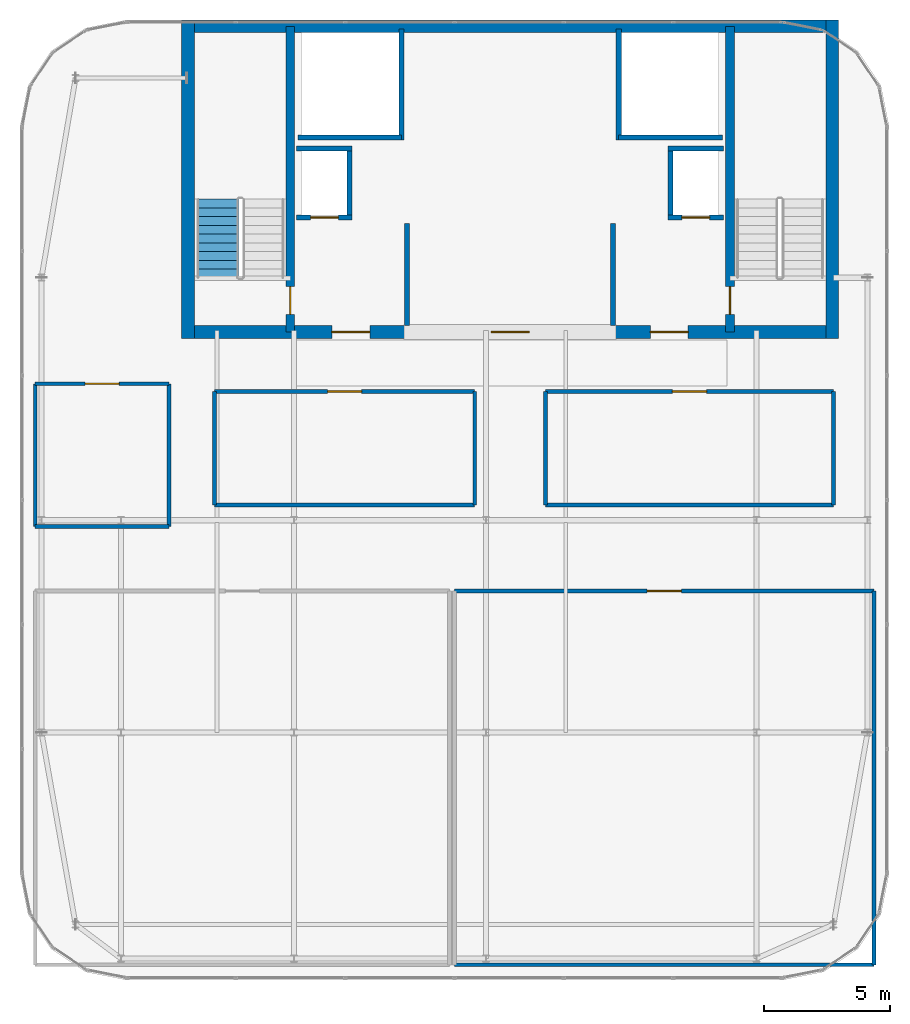
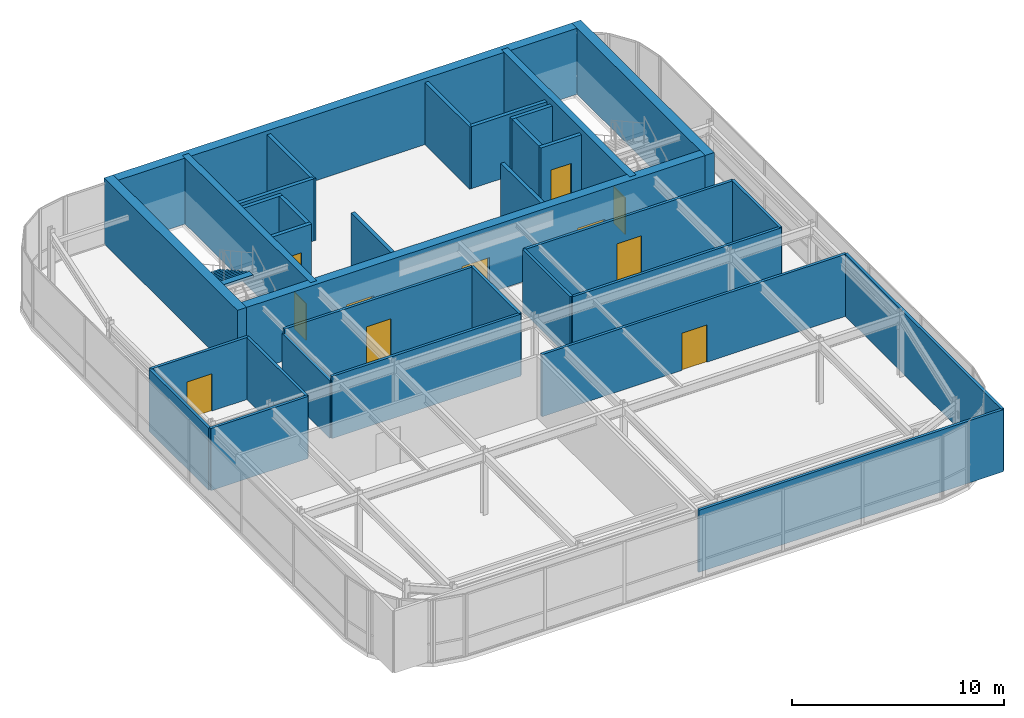
# One storey, part 34 of 36: 33 walls, 11 doors, 1 stair flight, 11 openings, 1 element without a shape of its own.
"""IFC4 building model written with IfcOpenShell, lengths in metres."""

from ifc_helpers import new_model, si_unit, direction, frame, frame_2d, origin, place, context, subcontext, project, spatial, polyline, rectangle, outline, extrude, source, transform, mapped, material, layer, layer_set, type_object, type_shapes, element, fill, aggregate, save


model = new_model("IFC4")

# Units and contexts
model_context = context("Model", 3, precision=1e-05, world=origin(), true_north=direction((0.0, 1.0)))
body_context = subcontext(model_context, "Body", "Model", "MODEL_VIEW")
ifc_project = project(units=[si_unit("LENGTHUNIT", "METRE"), si_unit("AREAUNIT", "SQUARE_METRE"), si_unit("VOLUMEUNIT", "CUBIC_METRE"), si_unit("PLANEANGLEUNIT", "RADIAN"), si_unit("MASSUNIT", "GRAM", prefix="KILO")], contexts=[model_context])

# Site, building, storey
site_placement = place(None, origin())
site = spatial("IfcSite", under=ifc_project, at=site_placement, CompositionType="ELEMENT")
building_placement = place(site_placement, origin())
building = spatial("IfcBuilding", under=site, at=building_placement, Name="Tolvann Quenvar Hotel", CompositionType="ELEMENT")
storey_placement = place(building_placement, frame((0.0, 0.0, 298.550048828125)))
storey = spatial("IfcBuildingStorey", under=building, at=storey_placement, Name="L79", CompositionType="ELEMENT", Elevation=298.550048828125)

# Wall, openings, doors
ifc_material_1 = material(Name="Concrete N50 (50 MPa)", Category="concrete")
ifc_layer_1 = layer(ifc_material_1, 0.5)
ifc_layer_set_1 = layer_set([ifc_layer_1], Name="Concrete N50 (50 MPa)")
wall_type_1 = type_object("IfcWallType", Name="WALL_CORE_500", PredefinedType="SHEAR", material=ifc_layer_set_1)
wall_1_placement = place(storey_placement, frame((10.0, 31.85009765625, 0.0), z_axis=(0.0, 0.0, 1.0), x_axis=(1.0, 0.0, 0.0)))
wall_1 = element("IfcWall", 1, at=wall_1_placement, inside=storey, type_object=wall_type_1, Name="Rear Core S Shear Wall (L79)", PredefinedType="SHEAR", context=body_context, shape_type="SweptSolid", body=[
    extrude(rectangle(XDim=26.0, YDim=0.5, at=frame_2d((13.0, 0.0))), origin(), (0.0, 0.0, 1.0), 3.800048828125),
])
opening_1_placement = place(wall_1_placement, frame((7.449951171875, 0.0, 0.0), z_axis=(0.0, 0.0, 1.0), x_axis=(-1.0, 0.0, 0.0)))
opening_1 = element("IfcOpeningElement", 2, at=opening_1_placement, cuts=wall_1, Name="Opening FD-60D", PredefinedType="OPENING", context=body_context, shape_type="SweptSolid", body=[
    extrude(rectangle(XDim=1.5, YDim=2.0400390625, at=frame_2d((0.75, 1.02001953125))), frame((0.0, 0.260009765625, 0.0), z_axis=(0.0, -1.0, 0.0), x_axis=(1.0, 0.0, 0.0)), (0.0, 0.0, 1.0), 0.52001953125),
])
opening_2_placement = place(wall_1_placement, frame((13.75, 0.0, 0.0), z_axis=(0.0, 0.0, 1.0), x_axis=(-1.0, 0.0, 0.0)))
opening_2 = element("IfcOpeningElement", 3, at=opening_2_placement, cuts=wall_1, Name="Opening FD-60D", PredefinedType="OPENING", context=body_context, shape_type="SweptSolid", body=[
    extrude(rectangle(XDim=1.5, YDim=2.0400390625, at=frame_2d((0.75, 1.02001953125))), frame((0.0, 0.260009765625, 0.0), z_axis=(0.0, -1.0, 0.0), x_axis=(1.0, 0.0, 0.0)), (0.0, 0.0, 1.0), 0.52001953125),
])
opening_3_placement = place(wall_1_placement, frame((20.050048828125, 0.0, 0.0), z_axis=(0.0, 0.0, 1.0), x_axis=(-1.0, 0.0, 0.0)))
opening_3 = element("IfcOpeningElement", 4, at=opening_3_placement, cuts=wall_1, Name="Opening FD-60D", PredefinedType="OPENING", context=body_context, shape_type="SweptSolid", body=[
    extrude(rectangle(XDim=1.5, YDim=2.0400390625, at=frame_2d((0.75, 1.02001953125))), frame((0.0, 0.260009765625, 0.0), z_axis=(0.0, -1.0, 0.0), x_axis=(1.0, 0.0, 0.0)), (0.0, 0.0, 1.0), 0.52001953125),
])
ifc_material_2 = material(Name="Solid-core American oak acoustic fire door leaf in steel frame", Category="steel")
door_type_1 = type_object("IfcDoorType", Name="DOOR_FIRE_LOBBY_1500", OperationType="NOTDEFINED", PredefinedType="DOOR", material=ifc_material_2)
shared_shape_1 = source(origin(), body_context, "Body", "SweptSolid", [
    extrude(rectangle(XDim=1.5, YDim=2.0400390625, at=frame_2d((0.75, 1.02001953125))), frame((0.0, 0.02490234375, 0.0), z_axis=(0.0, -1.0, 0.0), x_axis=(1.0, 0.0, 0.0)), (0.0, 0.0, 1.0), 0.050048828125),
])
type_shapes(door_type_1, [shared_shape_1])
door_1_placement = place(opening_1_placement, origin())
door_1 = element("IfcDoor", 5, at=door_1_placement, inside=storey, type_object=door_type_1, Name="Core Lobby Fire Door FFW (L79)", OperationType="DOUBLE_DOOR_SINGLE_SWING", OverallHeight=2.0400390625, OverallWidth=1.5, PredefinedType="DOOR", context=body_context, shape_type="MappedRepresentation", body=[
    mapped(shared_shape_1, transform((0.0, 0.0, 0.0), x_axis=(1.0, 0.0, 0.0), y_axis=(0.0, 1.0, 0.0), z_axis=(0.0, 0.0, 1.0), scale=1.0)),
])
fill(opening_1, door_1)
door_2_placement = place(opening_2_placement, origin())
door_2 = element("IfcDoor", 6, at=door_2_placement, inside=storey, type_object=door_type_1, Name="Core Lobby Fire Door CLOB (L79)", OperationType="DOUBLE_DOOR_SINGLE_SWING", OverallHeight=2.0400390625, OverallWidth=1.5, PredefinedType="DOOR", context=body_context, shape_type="MappedRepresentation", body=[
    mapped(shared_shape_1, transform((0.0, 0.0, 0.0), x_axis=(1.0, 0.0, 0.0), y_axis=(0.0, 1.0, 0.0), z_axis=(0.0, 0.0, 1.0), scale=1.0)),
])
fill(opening_2, door_2)
door_3_placement = place(opening_3_placement, origin())
door_3 = element("IfcDoor", 7, at=door_3_placement, inside=storey, type_object=door_type_1, Name="Core Lobby Fire Door FFE (L79)", OperationType="DOUBLE_DOOR_SINGLE_SWING", OverallHeight=2.0400390625, OverallWidth=1.5, PredefinedType="DOOR", context=body_context, shape_type="MappedRepresentation", body=[
    mapped(shared_shape_1, transform((0.0, 0.0, 0.0), x_axis=(1.0, 0.0, 0.0), y_axis=(0.0, 1.0, 0.0), z_axis=(0.0, 0.0, 1.0), scale=1.0)),
])
fill(opening_3, door_3)

# Walls
wall_2_placement = place(storey_placement, frame((10.0, 43.949951171875, 0.0), z_axis=(0.0, 0.0, 1.0), x_axis=(1.0, 0.0, 0.0)))
element("IfcWall", 8, at=wall_2_placement, inside=storey, type_object=wall_type_1, Name="Rear Core N Shear Wall (L79)", PredefinedType="SHEAR", context=body_context, shape_type="SweptSolid", body=[
    extrude(rectangle(XDim=26.0, YDim=0.5, at=frame_2d((13.0, 0.0))), origin(), (0.0, 0.0, 1.0), 3.800048828125),
])
for number, where, z_axis, x_axis, name in (
    (9, (10.25, 31.60009765625, 0.0), (0.0, 0.0, 1.0), (0.0, 1.0, 0.0), "Rear Core W Shear Wall (L79)"),
    (10, (35.75, 31.60009765625, 0.0), (0.0, 0.0, 1.0), (0.0, 1.0, 0.0), "Rear Core E Shear Wall (L79)"),
):
    element("IfcWall", number, at=place(storey_placement, frame(where, z_axis=z_axis, x_axis=x_axis)), inside=storey, type_object=wall_type_1, Name=name, PredefinedType="SHEAR", context=body_context, shape_type="SweptSolid", body=[
        extrude(rectangle(XDim=12.599853515625, YDim=0.5, at=frame_2d((6.2998046875, 0.0))), origin(), (0.0, 0.0, 1.0), 3.800048828125),
    ])

# Wall, opening, door
ifc_material_3 = material(Name="Concrete S65 (65 MPa)", Category="concrete")
ifc_layer_2 = layer(ifc_material_3, 0.35009765625)
ifc_layer_set_2 = layer_set([ifc_layer_2], Name="Concrete S65 (65 MPa)")
wall_type_2 = type_object("IfcWallType", Name="WALL_CORE_INT_350", PredefinedType="SHEAR", material=ifc_layer_set_2)
wall_3_placement = place(storey_placement, frame((14.300048828125, 31.85009765625, 0.0), z_axis=(0.0, 0.0, 1.0), x_axis=(0.0, 1.0, 0.0)))
wall_3 = element("IfcWall", 11, at=wall_3_placement, inside=storey, type_object=wall_type_2, Name="Core Internal Web Shear Wall WEB-W (L79)", PredefinedType="SHEAR", context=body_context, shape_type="SweptSolid", body=[
    extrude(rectangle(XDim=12.099853515625, YDim=0.35009765625, at=frame_2d((6.0498046875, 0.0))), origin(), (0.0, 0.0, 1.0), 3.800048828125),
])
opening_4_placement = place(wall_3_placement, frame((0.699951171875, 0.0, 0.0)))
opening_4 = element("IfcOpeningElement", 12, at=opening_4_placement, cuts=wall_3, Name="Opening FD-120", PredefinedType="OPENING", context=body_context, shape_type="SweptSolid", body=[
    extrude(rectangle(XDim=1.10009765625, YDim=2.1201171875, at=frame_2d((0.550048828125, 1.06005859375))), frame((0.0, 0.18505859375, 0.0), z_axis=(0.0, -1.0, 0.0), x_axis=(1.0, 0.0, 0.0)), (0.0, 0.0, 1.0), 0.3701171875),
])
ifc_material_4 = material(Name="Pressed galvanised steel fire-rated door set", Category="steel")
door_type_2 = type_object("IfcDoorType", Name="DOOR_FIRE_STAIR_1100", OperationType="NOTDEFINED", PredefinedType="DOOR", material=ifc_material_4)
shared_shape_2 = source(origin(), body_context, "Body", "SweptSolid", [
    extrude(rectangle(XDim=1.10009765625, YDim=2.1201171875, at=frame_2d((0.550048828125, 1.06005859375))), frame((0.0, 0.02490234375, 0.0), z_axis=(0.0, -1.0, 0.0), x_axis=(1.0, 0.0, 0.0)), (0.0, 0.0, 1.0), 0.050048828125),
])
type_shapes(door_type_2, [shared_shape_2])
door_4_placement = place(opening_4_placement, origin())
door_4 = element("IfcDoor", 13, at=door_4_placement, inside=storey, type_object=door_type_2, Name="Exit Stair ST-C1 Fire Door (L79)", OperationType="SINGLE_SWING_LEFT", OverallHeight=2.1201171875, OverallWidth=1.10009765625, PredefinedType="DOOR", context=body_context, shape_type="MappedRepresentation", body=[
    mapped(shared_shape_2, transform((0.0, 0.0, 0.0), x_axis=(1.0, 0.0, 0.0), y_axis=(0.0, 1.0, 0.0), z_axis=(0.0, 0.0, 1.0), scale=1.0)),
])
fill(opening_4, door_4)

wall_4_placement = place(storey_placement, frame((31.699951171875, 31.85009765625, 0.0), z_axis=(0.0, 0.0, 1.0), x_axis=(0.0, 1.0, 0.0)))
wall_4 = element("IfcWall", 14, at=wall_4_placement, inside=storey, type_object=wall_type_2, Name="Core Internal Web Shear Wall WEB-E (L79)", PredefinedType="SHEAR", context=body_context, shape_type="SweptSolid", body=[
    extrude(rectangle(XDim=12.099853515625, YDim=0.35009765625, at=frame_2d((6.0498046875, 0.0))), origin(), (0.0, 0.0, 1.0), 3.800048828125),
])
opening_5_placement = place(wall_4_placement, frame((1.800048828125, 0.0, 0.0), z_axis=(0.0, 0.0, 1.0), x_axis=(-1.0, 0.0, 0.0)))
opening_5 = element("IfcOpeningElement", 15, at=opening_5_placement, cuts=wall_4, Name="Opening FD-120", PredefinedType="OPENING", context=body_context, shape_type="SweptSolid", body=[
    extrude(rectangle(XDim=1.10009765625, YDim=2.1201171875, at=frame_2d((0.550048828125, 1.06005859375))), frame((0.0, 0.18505859375, 0.0), z_axis=(0.0, -1.0, 0.0), x_axis=(1.0, 0.0, 0.0)), (0.0, 0.0, 1.0), 0.3701171875),
])
door_5_placement = place(opening_5_placement, origin())
door_5 = element("IfcDoor", 16, at=door_5_placement, inside=storey, type_object=door_type_2, Name="Exit Stair ST-C2 Fire Door (L79)", OperationType="SINGLE_SWING_RIGHT", OverallHeight=2.1201171875, OverallWidth=1.10009765625, PredefinedType="DOOR", context=body_context, shape_type="MappedRepresentation", body=[
    mapped(shared_shape_2, transform((0.0, 0.0, 0.0), x_axis=(1.0, 0.0, 0.0), y_axis=(0.0, 1.0, 0.0), z_axis=(0.0, 0.0, 1.0), scale=1.0)),
])
fill(opening_5, door_5)

# Wall
ifc_material_5 = material(Name="Acoustic twin-stud fire-rated gypsum plasterboard partition")
ifc_layer_3 = layer(ifc_material_5, 0.14990234375)
ifc_layer_set_3 = layer_set([ifc_layer_3], Name="Acoustic twin-stud fire-rated gypsum plasterboard partition")
wall_type_3 = type_object("IfcWallType", Name="WALL_PART_SUITE_150", PredefinedType="PARTITIONING", material=ifc_layer_set_3)
wall_5_placement = place(storey_placement, frame((20.800048828125, 6.800048828125, 0.0), z_axis=(0.0, 0.0, 1.0), x_axis=(1.0, 0.0, 0.0)))
element("IfcWall", 17, at=wall_5_placement, inside=storey, type_object=wall_type_3, Name="Interior Partition PT-SPC-L79-LMR-S", PredefinedType="PARTITIONING", context=body_context, shape_type="SweptSolid", body=[
    extrude(rectangle(XDim=16.599853515625, YDim=0.14990234375, at=frame_2d((8.2998046875, 0.0))), origin(), (0.0, 0.0, 1.0), 3.579833984375),
])

# Wall, opening, door
wall_6_placement = place(storey_placement, frame((20.800048828125, 21.60009765625, 0.0), z_axis=(0.0, 0.0, 1.0), x_axis=(1.0, 0.0, 0.0)))
wall_6 = element("IfcWall", 18, at=wall_6_placement, inside=storey, type_object=wall_type_3, Name="Interior Partition PT-SPC-L79-LMR-N", PredefinedType="PARTITIONING", context=body_context, shape_type="SweptSolid", body=[
    extrude(rectangle(XDim=16.599853515625, YDim=0.14990234375, at=frame_2d((8.2998046875, 0.0))), origin(), (0.0, 0.0, 1.0), 3.579833984375),
])
opening_6_placement = place(wall_6_placement, frame((7.625, 0.0, 0.0)))
opening_6 = element("IfcOpeningElement", 19, at=opening_6_placement, cuts=wall_6, Name="Opening PD-01", PredefinedType="OPENING", context=body_context, shape_type="SweptSolid", body=[
    extrude(rectangle(XDim=1.35009765625, YDim=2.14990234375, at=frame_2d((0.675048828125, 1.074951171875))), frame((0.0, 0.0849609375, 0.0), z_axis=(0.0, -1.0, 0.0), x_axis=(1.0, 0.0, 0.0)), (0.0, 0.0, 1.0), 0.169921875),
])
door_type_3 = type_object("IfcDoorType", Name="DOOR_PLANT_1350", OperationType="NOTDEFINED", PredefinedType="DOOR", material=ifc_material_4)
shared_shape_3 = source(origin(), body_context, "Body", "SweptSolid", [
    extrude(rectangle(XDim=1.35009765625, YDim=2.14990234375, at=frame_2d((0.675048828125, 1.074951171875))), frame((0.0, 0.02490234375, 0.0), z_axis=(0.0, -1.0, 0.0), x_axis=(1.0, 0.0, 0.0)), (0.0, 0.0, 1.0), 0.050048828125),
])
type_shapes(door_type_3, [shared_shape_3])
door_6_placement = place(opening_6_placement, origin())
door_6 = element("IfcDoor", 20, at=door_6_placement, inside=storey, type_object=door_type_3, Name="Interior Door DOOR-SPC-L79-LMR", OperationType="DOUBLE_DOOR_SINGLE_SWING", OverallHeight=2.14990234375, OverallWidth=1.35009765625, PredefinedType="DOOR", context=body_context, shape_type="MappedRepresentation", body=[
    mapped(shared_shape_3, transform((0.0, 0.0, 0.0), x_axis=(1.0, 0.0, 0.0), y_axis=(0.0, 1.0, 0.0), z_axis=(0.0, 0.0, 1.0), scale=1.0)),
])
fill(opening_6, door_6)

# Walls
wall_7_placement = place(storey_placement, frame((37.39990234375, 6.800048828125, 0.0), z_axis=(0.0, 0.0, 1.0), x_axis=(0.0, 1.0, 0.0)))
element("IfcWall", 21, at=wall_7_placement, inside=storey, type_object=wall_type_3, Name="Interior Partition PT-SPC-L79-LMR-E", PredefinedType="PARTITIONING", context=body_context, shape_type="SweptSolid", body=[
    extrude(rectangle(XDim=14.800048828125, YDim=0.14990234375, at=frame_2d((7.39990234375, 0.0))), origin(), (0.0, 0.0, 1.0), 3.579833984375),
])
wall_8_placement = place(storey_placement, frame((4.199951171875, 24.14990234375, 0.0), z_axis=(0.0, 0.0, 1.0), x_axis=(1.0, 0.0, 0.0)))
element("IfcWall", 22, at=wall_8_placement, inside=storey, type_object=wall_type_3, Name="Interior Partition PT-SPC-L79-EXH-ENT", PredefinedType="PARTITIONING", context=body_context, shape_type="SweptSolid", body=[
    extrude(rectangle(XDim=5.300048828125, YDim=0.14990234375, at=frame_2d((2.64990234375, 0.0))), origin(), (0.0, 0.0, 1.0), 3.579833984375),
])

# Wall, opening, door
wall_9_placement = place(storey_placement, frame((4.199951171875, 29.800048828125, 0.0), z_axis=(0.0, 0.0, 1.0), x_axis=(1.0, 0.0, 0.0)))
wall_9 = element("IfcWall", 23, at=wall_9_placement, inside=storey, type_object=wall_type_3, Name="Interior Partition PT-SPC-L79-EXH-N", PredefinedType="PARTITIONING", context=body_context, shape_type="SweptSolid", body=[
    extrude(rectangle(XDim=5.300048828125, YDim=0.14990234375, at=frame_2d((2.64990234375, 0.0))), origin(), (0.0, 0.0, 1.0), 3.579833984375),
])
opening_7_placement = place(wall_9_placement, frame((1.97509765625, 0.0, 0.0)))
opening_7 = element("IfcOpeningElement", 24, at=opening_7_placement, cuts=wall_9, Name="Opening PD-01", PredefinedType="OPENING", context=body_context, shape_type="SweptSolid", body=[
    extrude(rectangle(XDim=1.35009765625, YDim=2.14990234375, at=frame_2d((0.675048828125, 1.074951171875))), frame((0.0, 0.0849609375, 0.0), z_axis=(0.0, -1.0, 0.0), x_axis=(1.0, 0.0, 0.0)), (0.0, 0.0, 1.0), 0.169921875),
])
door_7_placement = place(opening_7_placement, origin())
door_7 = element("IfcDoor", 25, at=door_7_placement, inside=storey, type_object=door_type_3, Name="Interior Door DOOR-SPC-L79-EXH", OperationType="DOUBLE_DOOR_SINGLE_SWING", OverallHeight=2.14990234375, OverallWidth=1.35009765625, PredefinedType="DOOR", context=body_context, shape_type="MappedRepresentation", body=[
    mapped(shared_shape_3, transform((0.0, 0.0, 0.0), x_axis=(1.0, 0.0, 0.0), y_axis=(0.0, 1.0, 0.0), z_axis=(0.0, 0.0, 1.0), scale=1.0)),
])
fill(opening_7, door_7)

# Walls
for number, where, z_axis, x_axis, name in (
    (26, (4.199951171875, 24.14990234375, 0.0), (0.0, 0.0, 1.0), (0.0, 1.0, 0.0), "Interior Partition PT-SPC-L79-EXH-W"),
    (27, (9.5, 24.14990234375, 0.0), (0.0, 0.0, 1.0), (0.0, 1.0, 0.0), "Interior Partition PT-SPC-L79-EXH-E"),
):
    element("IfcWall", number, at=place(storey_placement, frame(where, z_axis=z_axis, x_axis=x_axis)), inside=storey, type_object=wall_type_3, Name=name, PredefinedType="PARTITIONING", context=body_context, shape_type="SweptSolid", body=[
        extrude(rectangle(XDim=5.650146484375, YDim=0.14990234375, at=frame_2d((2.8251953125, 0.0))), origin(), (0.0, 0.0, 1.0), 3.579833984375),
    ])
wall_10_placement = place(storey_placement, frame((11.300048828125, 25.0, 0.0), z_axis=(0.0, 0.0, 1.0), x_axis=(1.0, 0.0, 0.0)))
element("IfcWall", 28, at=wall_10_placement, inside=storey, type_object=wall_type_3, Name="Interior Partition PT-SPC-L79-LDIM-S", PredefinedType="PARTITIONING", context=body_context, shape_type="SweptSolid", body=[
    extrude(rectangle(XDim=10.300048828125, YDim=0.14990234375, at=frame_2d((5.14990234375, 0.0))), origin(), (0.0, 0.0, 1.0), 3.579833984375),
])

# Wall, opening, door
wall_11_placement = place(storey_placement, frame((11.300048828125, 29.5, 0.0), z_axis=(0.0, 0.0, 1.0), x_axis=(1.0, 0.0, 0.0)))
wall_11 = element("IfcWall", 29, at=wall_11_placement, inside=storey, type_object=wall_type_3, Name="Interior Partition PT-SPC-L79-LDIM-N", PredefinedType="PARTITIONING", context=body_context, shape_type="SweptSolid", body=[
    extrude(rectangle(XDim=10.300048828125, YDim=0.14990234375, at=frame_2d((5.14990234375, 0.0))), origin(), (0.0, 0.0, 1.0), 3.579833984375),
])
opening_8_placement = place(wall_11_placement, frame((4.47509765625, 0.0, 0.0)))
opening_8 = element("IfcOpeningElement", 30, at=opening_8_placement, cuts=wall_11, Name="Opening PD-01", PredefinedType="OPENING", context=body_context, shape_type="SweptSolid", body=[
    extrude(rectangle(XDim=1.35009765625, YDim=2.14990234375, at=frame_2d((0.675048828125, 1.074951171875))), frame((0.0, 0.0849609375, 0.0), z_axis=(0.0, -1.0, 0.0), x_axis=(1.0, 0.0, 0.0)), (0.0, 0.0, 1.0), 0.169921875),
])
door_8_placement = place(opening_8_placement, origin())
door_8 = element("IfcDoor", 31, at=door_8_placement, inside=storey, type_object=door_type_3, Name="Interior Door DOOR-SPC-L79-LDIM", OperationType="DOUBLE_DOOR_SINGLE_SWING", OverallHeight=2.14990234375, OverallWidth=1.35009765625, PredefinedType="DOOR", context=body_context, shape_type="MappedRepresentation", body=[
    mapped(shared_shape_3, transform((0.0, 0.0, 0.0), x_axis=(1.0, 0.0, 0.0), y_axis=(0.0, 1.0, 0.0), z_axis=(0.0, 0.0, 1.0), scale=1.0)),
])
fill(opening_8, door_8)

# Walls
wall_12_placement = place(storey_placement, frame((11.300048828125, 25.0, 0.0), z_axis=(0.0, 0.0, 1.0), x_axis=(0.0, 1.0, 0.0)))
element("IfcWall", 32, at=wall_12_placement, inside=storey, type_object=wall_type_3, Name="Interior Partition PT-SPC-L79-LDIM-W", PredefinedType="PARTITIONING", context=body_context, shape_type="SweptSolid", body=[
    extrude(rectangle(XDim=4.5, YDim=0.14990234375, at=frame_2d((2.25, 0.0))), origin(), (0.0, 0.0, 1.0), 3.31396484375),
])
wall_13_placement = place(storey_placement, frame((21.60009765625, 25.0, 0.0), z_axis=(0.0, 0.0, 1.0), x_axis=(0.0, 1.0, 0.0)))
element("IfcWall", 33, at=wall_13_placement, inside=storey, type_object=wall_type_3, Name="Interior Partition PT-SPC-L79-LDIM-E", PredefinedType="PARTITIONING", context=body_context, shape_type="SweptSolid", body=[
    extrude(rectangle(XDim=4.5, YDim=0.14990234375, at=frame_2d((2.25, 0.0))), origin(), (0.0, 0.0, 1.0), 3.579833984375),
])
wall_14_placement = place(storey_placement, frame((24.39990234375, 25.0, 0.0), z_axis=(0.0, 0.0, 1.0), x_axis=(1.0, 0.0, 0.0)))
element("IfcWall", 34, at=wall_14_placement, inside=storey, type_object=wall_type_3, Name="Interior Partition PT-SPC-L79-BMS-S", PredefinedType="PARTITIONING", context=body_context, shape_type="SweptSolid", body=[
    extrude(rectangle(XDim=11.400146484375, YDim=0.14990234375, at=frame_2d((5.7001953125, 0.0))), origin(), (0.0, 0.0, 1.0), 3.579833984375),
])

# Wall, opening, door
wall_15_placement = place(storey_placement, frame((24.39990234375, 29.5, 0.0), z_axis=(0.0, 0.0, 1.0), x_axis=(1.0, 0.0, 0.0)))
wall_15 = element("IfcWall", 35, at=wall_15_placement, inside=storey, type_object=wall_type_3, Name="Interior Partition PT-SPC-L79-BMS-N", PredefinedType="PARTITIONING", context=body_context, shape_type="SweptSolid", body=[
    extrude(rectangle(XDim=11.400146484375, YDim=0.14990234375, at=frame_2d((5.7001953125, 0.0))), origin(), (0.0, 0.0, 1.0), 3.579833984375),
])
opening_9_placement = place(wall_15_placement, frame((5.02490234375, 0.0, 0.0)))
opening_9 = element("IfcOpeningElement", 36, at=opening_9_placement, cuts=wall_15, Name="Opening PD-01", PredefinedType="OPENING", context=body_context, shape_type="SweptSolid", body=[
    extrude(rectangle(XDim=1.35009765625, YDim=2.14990234375, at=frame_2d((0.675048828125, 1.074951171875))), frame((0.0, 0.0849609375, 0.0), z_axis=(0.0, -1.0, 0.0), x_axis=(1.0, 0.0, 0.0)), (0.0, 0.0, 1.0), 0.169921875),
])
door_9_placement = place(opening_9_placement, origin())
door_9 = element("IfcDoor", 37, at=door_9_placement, inside=storey, type_object=door_type_3, Name="Interior Door DOOR-SPC-L79-BMS", OperationType="DOUBLE_DOOR_SINGLE_SWING", OverallHeight=2.14990234375, OverallWidth=1.35009765625, PredefinedType="DOOR", context=body_context, shape_type="MappedRepresentation", body=[
    mapped(shared_shape_3, transform((0.0, 0.0, 0.0), x_axis=(1.0, 0.0, 0.0), y_axis=(0.0, 1.0, 0.0), z_axis=(0.0, 0.0, 1.0), scale=1.0)),
])
fill(opening_9, door_9)

# Walls
for number, where, z_axis, x_axis, name in (
    (38, (24.39990234375, 25.0, 0.0), (0.0, 0.0, 1.0), (0.0, 1.0, 0.0), "Interior Partition PT-SPC-L79-BMS-W"),
    (39, (35.800048828125, 25.0, 0.0), (0.0, 0.0, 1.0), (0.0, 1.0, 0.0), "Interior Partition PT-SPC-L79-BMS-E"),
):
    element("IfcWall", number, at=place(storey_placement, frame(where, z_axis=z_axis, x_axis=x_axis)), inside=storey, type_object=wall_type_3, Name=name, PredefinedType="PARTITIONING", context=body_context, shape_type="SweptSolid", body=[
        extrude(rectangle(XDim=4.5, YDim=0.14990234375, at=frame_2d((2.25, 0.0))), origin(), (0.0, 0.0, 1.0), 3.579833984375),
    ])
ifc_material_6 = material(Name="Concrete N40 (40 MPa)", Category="concrete")
ifc_layer_4 = layer(ifc_material_6, 0.199951171875)
ifc_layer_set_4 = layer_set([ifc_layer_4], Name="Concrete N40 (40 MPa)")
wall_type_4 = type_object("IfcWallType", Name="WALL_SHAFT_200", PredefinedType="SOLIDWALL", material=ifc_layer_set_4)
wall_16_placement = place(storey_placement, frame((18.699951171875, 39.449951171875, 0.0), z_axis=(0.0, 0.0, 1.0), x_axis=(0.0, 1.0, 0.0)))
element("IfcWall", 40, at=wall_16_placement, inside=storey, type_object=wall_type_4, Name="Service Riser W Shaft Wall IN (L79)", PredefinedType="SOLIDWALL", context=body_context, shape_type="SweptSolid", body=[
    extrude(rectangle(XDim=4.400146484375, YDim=0.199951171875, at=frame_2d((2.2001953125, 0.0))), origin(), (0.0, 0.0, 1.0), 3.579833984375),
])
wall_17_placement = place(storey_placement, frame((14.60009765625, 39.550048828125, 0.0), z_axis=(0.0, 0.0, 1.0), x_axis=(1.0, 0.0, 0.0)))
element("IfcWall", 41, at=wall_17_placement, inside=storey, type_object=wall_type_4, Name="Service Riser W Shaft Wall S (L79)", PredefinedType="SOLIDWALL", context=body_context, shape_type="SweptSolid", body=[
    extrude(rectangle(XDim=4.099853515625, YDim=0.199951171875, at=frame_2d((2.0498046875, 0.0))), origin(), (0.0, 0.0, 1.0), 3.579833984375),
])
wall_18_placement = place(storey_placement, frame((27.300048828125, 39.449951171875, 0.0), z_axis=(0.0, 0.0, 1.0), x_axis=(0.0, 1.0, 0.0)))
element("IfcWall", 42, at=wall_18_placement, inside=storey, type_object=wall_type_4, Name="Service Riser E Shaft Wall IN (L79)", PredefinedType="SOLIDWALL", context=body_context, shape_type="SweptSolid", body=[
    extrude(rectangle(XDim=4.400146484375, YDim=0.199951171875, at=frame_2d((2.2001953125, 0.0))), origin(), (0.0, 0.0, 1.0), 3.579833984375),
])
wall_19_placement = place(storey_placement, frame((27.300048828125, 39.550048828125, 0.0), z_axis=(0.0, 0.0, 1.0), x_axis=(1.0, 0.0, 0.0)))
element("IfcWall", 43, at=wall_19_placement, inside=storey, type_object=wall_type_4, Name="Service Riser E Shaft Wall S (L79)", PredefinedType="SOLIDWALL", context=body_context, shape_type="SweptSolid", body=[
    extrude(rectangle(XDim=4.099853515625, YDim=0.199951171875, at=frame_2d((2.0498046875, 0.0))), origin(), (0.0, 0.0, 1.0), 3.579833984375),
])
for number, where, z_axis, x_axis, name in (
    (44, (18.919921875, 32.10400390625, 0.0), (0.0, 0.0, 1.0), (0.0, 1.0, 0.0), "Firefighting Lobby W Inner Fire Wall (L79)"),
    (45, (27.080078125, 32.10400390625, 0.0), (0.0, 0.0, 1.0), (0.0, 1.0, 0.0), "Firefighting Lobby E Inner Fire Wall (L79)"),
):
    element("IfcWall", number, at=place(storey_placement, frame(where, z_axis=z_axis, x_axis=x_axis)), inside=storey, type_object=wall_type_4, Name=name, PredefinedType="SOLIDWALL", context=body_context, shape_type="SweptSolid", body=[
        extrude(rectangle(XDim=4.0458984375, YDim=0.199951171875, at=frame_2d((2.02294921875, 0.0))), origin(), (0.0, 0.0, 1.0), 3.579833984375),
    ])

# Wall, opening, door
wall_20_placement = place(storey_placement, frame((29.25, 36.3798828125, 0.0), z_axis=(0.0, 0.0, 1.0), x_axis=(1.0, 0.0, 0.0)))
wall_20 = element("IfcWall", 46, at=wall_20_placement, inside=storey, type_object=wall_type_4, Name="Lift Bank SEC1 Hoistway Front Wall (L79)", PredefinedType="SOLIDWALL", context=body_context, shape_type="SweptSolid", body=[
    extrude(rectangle(XDim=2.199951171875, YDim=0.199951171875, at=frame_2d((1.10009765625, 0.0))), origin(), (0.0, 0.0, 1.0), 3.579833984375),
])
opening_10_placement = place(wall_20_placement, frame((0.550048828125, 0.0, 0.0)))
opening_10 = element("IfcOpeningElement", 47, at=opening_10_placement, cuts=wall_20, Name="Opening LD-01", PredefinedType="OPENING", context=body_context, shape_type="SweptSolid", body=[
    extrude(rectangle(XDim=1.10009765625, YDim=2.1201171875, at=frame_2d((0.550048828125, 1.06005859375))), frame((0.0, 0.10986328125, 0.0), z_axis=(0.0, -1.0, 0.0), x_axis=(1.0, 0.0, 0.0)), (0.0, 0.0, 1.0), 0.219970703125),
])
ifc_material_7 = material(Name="Brushed 316 stainless steel automatic sliding lift landing door", Category="steel")
door_type_4 = type_object("IfcDoorType", Name="DOOR_LIFT_SLIDE_1100", OperationType="NOTDEFINED", PredefinedType="DOOR", material=ifc_material_7)
shared_shape_4 = source(origin(), body_context, "Body", "SweptSolid", [
    extrude(rectangle(XDim=1.10009765625, YDim=2.1201171875, at=frame_2d((0.550048828125, 1.06005859375))), frame((0.0, 0.02490234375, 0.0), z_axis=(0.0, -1.0, 0.0), x_axis=(1.0, 0.0, 0.0)), (0.0, 0.0, 1.0), 0.050048828125),
])
type_shapes(door_type_4, [shared_shape_4])
door_10_placement = place(opening_10_placement, origin())
door_10 = element("IfcDoor", 48, at=door_10_placement, inside=storey, type_object=door_type_4, Name="Lift FF-2 Sliding Landing Door (L79)", OperationType="SLIDING_TO_RIGHT", OverallHeight=2.1201171875, OverallWidth=1.10009765625, PredefinedType="DOOR", context=body_context, shape_type="MappedRepresentation", body=[
    mapped(shared_shape_4, transform((0.0, 0.0, 0.0), x_axis=(1.0, 0.0, 0.0), y_axis=(0.0, 1.0, 0.0), z_axis=(0.0, 0.0, 1.0), scale=1.0)),
])
fill(opening_10, door_10)

# Walls
wall_21_placement = place(storey_placement, frame((29.25, 39.1201171875, 0.0), z_axis=(0.0, 0.0, 1.0), x_axis=(1.0, 0.0, 0.0)))
element("IfcWall", 49, at=wall_21_placement, inside=storey, type_object=wall_type_4, Name="Lift Bank SEC1 Hoistway Rear Wall (L79)", PredefinedType="SOLIDWALL", context=body_context, shape_type="SweptSolid", body=[
    extrude(rectangle(XDim=2.199951171875, YDim=0.199951171875, at=frame_2d((1.10009765625, 0.0))), origin(), (0.0, 0.0, 1.0), 3.579833984375),
])
wall_22_placement = place(storey_placement, frame((29.35009765625, 36.47998046875, 0.0), z_axis=(0.0, 0.0, 1.0), x_axis=(0.0, 1.0, 0.0)))
element("IfcWall", 50, at=wall_22_placement, inside=storey, type_object=wall_type_4, Name="Lift Bank SEC1 Hoistway Cheek Wall 1 (L79)", PredefinedType="SOLIDWALL", context=body_context, shape_type="SweptSolid", body=[
    extrude(rectangle(XDim=2.5400390625, YDim=0.199951171875, at=frame_2d((1.27001953125, 0.0))), origin(), (0.0, 0.0, 1.0), 3.579833984375),
])

# Wall, opening, door
wall_23_placement = place(storey_placement, frame((14.550048828125, 36.3798828125, 0.0), z_axis=(0.0, 0.0, 1.0), x_axis=(1.0, 0.0, 0.0)))
wall_23 = element("IfcWall", 51, at=wall_23_placement, inside=storey, type_object=wall_type_4, Name="Lift Bank SWC1 Hoistway Front Wall (L79)", PredefinedType="SOLIDWALL", context=body_context, shape_type="SweptSolid", body=[
    extrude(rectangle(XDim=2.199951171875, YDim=0.199951171875, at=frame_2d((1.10009765625, 0.0))), origin(), (0.0, 0.0, 1.0), 3.579833984375),
])
opening_11_placement = place(wall_23_placement, frame((0.550048828125, 0.0, 0.0)))
opening_11 = element("IfcOpeningElement", 52, at=opening_11_placement, cuts=wall_23, Name="Opening LD-01", PredefinedType="OPENING", context=body_context, shape_type="SweptSolid", body=[
    extrude(rectangle(XDim=1.10009765625, YDim=2.1201171875, at=frame_2d((0.550048828125, 1.06005859375))), frame((0.0, 0.10986328125, 0.0), z_axis=(0.0, -1.0, 0.0), x_axis=(1.0, 0.0, 0.0)), (0.0, 0.0, 1.0), 0.219970703125),
])
door_11_placement = place(opening_11_placement, origin())
door_11 = element("IfcDoor", 53, at=door_11_placement, inside=storey, type_object=door_type_4, Name="Lift FF-1 Sliding Landing Door (L79)", OperationType="SLIDING_TO_LEFT", OverallHeight=2.1201171875, OverallWidth=1.10009765625, PredefinedType="DOOR", context=body_context, shape_type="MappedRepresentation", body=[
    mapped(shared_shape_4, transform((0.0, 0.0, 0.0), x_axis=(1.0, 0.0, 0.0), y_axis=(0.0, 1.0, 0.0), z_axis=(0.0, 0.0, 1.0), scale=1.0)),
])
fill(opening_11, door_11)

# Walls
wall_24_placement = place(storey_placement, frame((14.550048828125, 39.1201171875, 0.0), z_axis=(0.0, 0.0, 1.0), x_axis=(1.0, 0.0, 0.0)))
element("IfcWall", 54, at=wall_24_placement, inside=storey, type_object=wall_type_4, Name="Lift Bank SWC1 Hoistway Rear Wall (L79)", PredefinedType="SOLIDWALL", context=body_context, shape_type="SweptSolid", body=[
    extrude(rectangle(XDim=2.199951171875, YDim=0.199951171875, at=frame_2d((1.10009765625, 0.0))), origin(), (0.0, 0.0, 1.0), 3.579833984375),
])
wall_25_placement = place(storey_placement, frame((16.64990234375, 36.47998046875, 0.0), z_axis=(0.0, 0.0, 1.0), x_axis=(0.0, 1.0, 0.0)))
element("IfcWall", 55, at=wall_25_placement, inside=storey, type_object=wall_type_4, Name="Lift Bank SWC1 Hoistway Cheek Wall 2 (L79)", PredefinedType="SOLIDWALL", context=body_context, shape_type="SweptSolid", body=[
    extrude(rectangle(XDim=2.5400390625, YDim=0.199951171875, at=frame_2d((1.27001953125, 0.0))), origin(), (0.0, 0.0, 1.0), 3.579833984375),
])

# Stair, stair flight
stair_type = type_object("IfcStairType", Name="STAIR", PredefinedType="HALF_TURN_STAIR", material=ifc_material_6)
stair_placement = place(storey_placement, origin())
stair = element("IfcStair", 56, at=stair_placement, inside=storey, type_object=stair_type, Name="L79 ST-C1", PredefinedType="HALF_TURN_STAIR")
stair_flight_type = type_object("IfcStairFlightType", Name="STAIR_FLIGHT", PredefinedType="STRAIGHT", material=ifc_material_6)
stair_flight_placement = place(storey_placement, frame((11.425048828125, 37.10498046875, 1.89990234375), z_axis=(0.0, 0.0, 1.0), x_axis=(0.0, -1.0, 0.0)))
stair_flight = element("IfcStairFlight", 57, at=stair_flight_placement, type_object=stair_flight_type, Name="ST-C1 flight 2", NumberOfRisers=10, NumberOfTreads=9, PredefinedType="STRAIGHT", RiserHeight=0.19, TreadLength=0.345, context=body_context, shape_type="SweptSolid", body=[
    extrude(outline(polyline([(0.0, 0.0), (0.0, 0.18994140625), (0.344970703125, 0.18994140625), (0.344970703125, 0.3798828125), (0.68994140625, 0.3798828125), (0.68994140625, 0.570068359375), (1.034912109375, 0.570068359375), (1.034912109375, 0.760009765625), (1.3798828125, 0.760009765625), (1.3798828125, 0.949951171875), (1.72509765625, 0.949951171875), (1.72509765625, 1.139892578125), (2.070068359375, 1.139892578125), (2.070068359375, 1.330078125), (2.4150390625, 1.330078125), (2.4150390625, 1.52001953125), (2.760009765625, 1.52001953125), (2.760009765625, 1.7099609375), (3.10498046875, 1.7099609375), (3.10498046875, 1.89990234375), (3.10498046875, 1.538818359375), (0.310791015625, 0.0), (0.0, 0.0)])), frame((0.0, 0.824951171875, 0.0), z_axis=(0.0, -1.0, 0.0), x_axis=(1.0, 0.0, 0.0)), (0.0, 0.0, 1.0), 1.64990234375),
])
aggregate(stair, [stair_flight])

save(model, "model.ifc")
